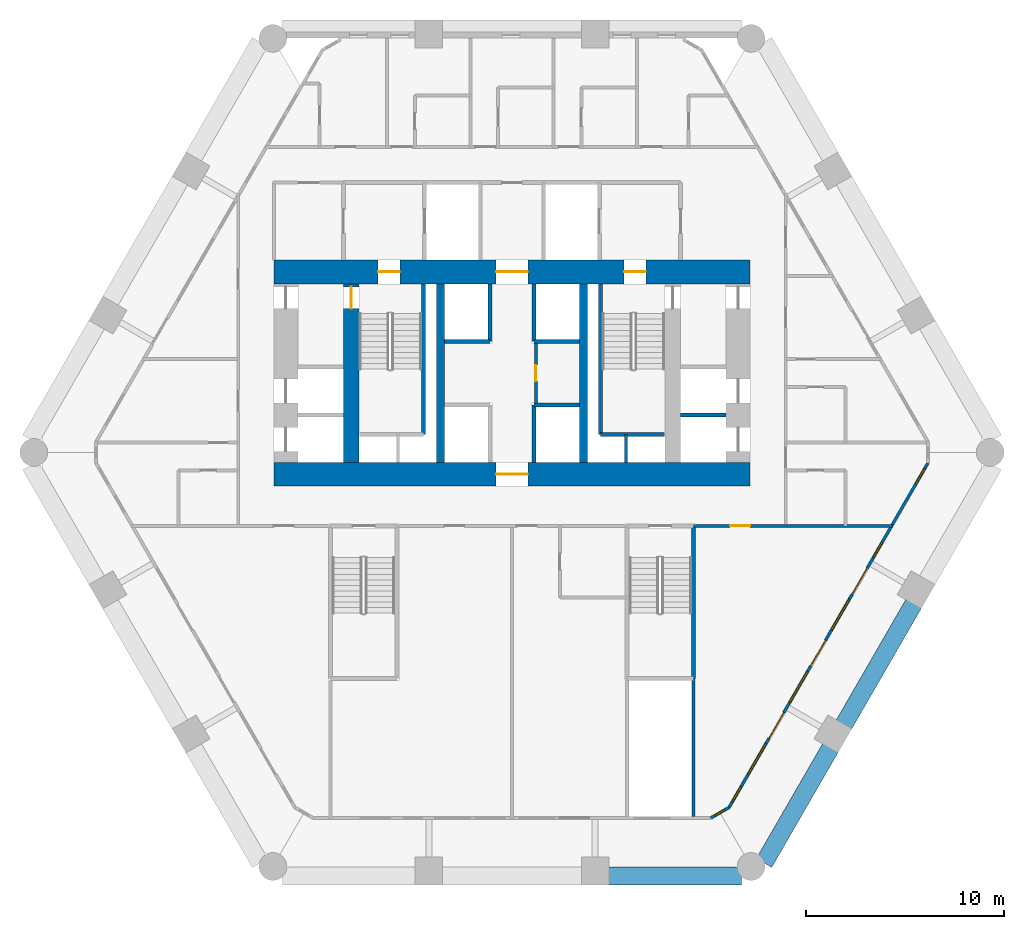
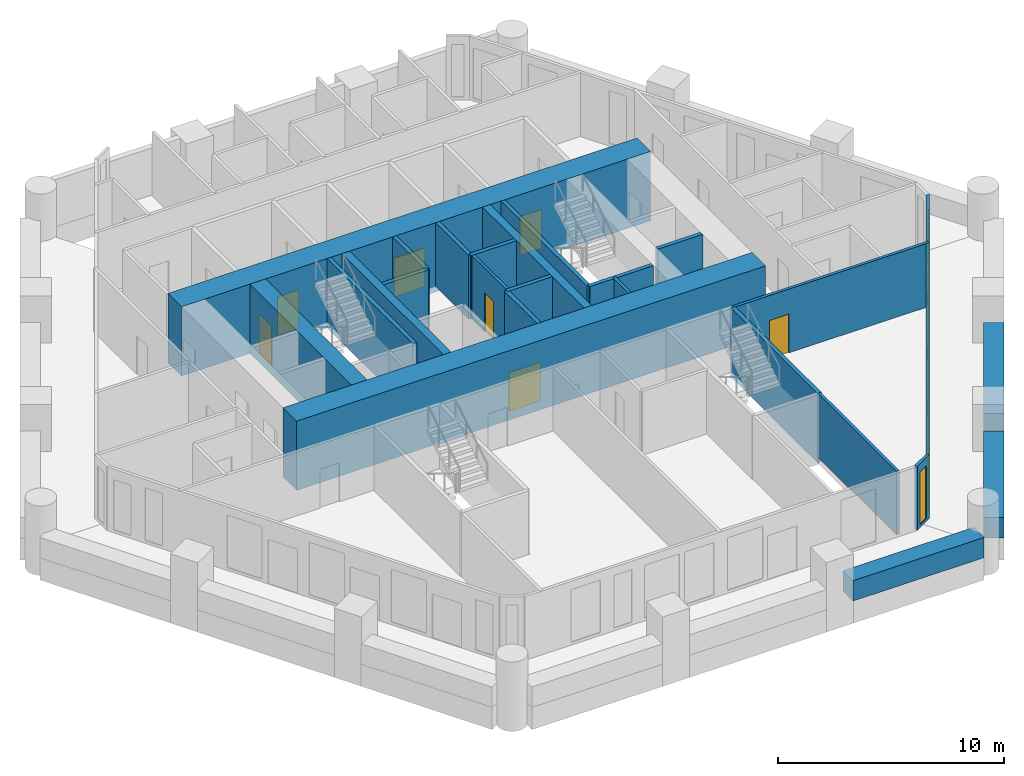
# One storey, part 4 of 8: 25 walls, 10 doors, 7 windows, 17 openings.
"""IFC4 building model written with IfcOpenShell, lengths in metres."""

from ifc_helpers import new_model, si_unit, direction, frame, frame_2d, origin, place, context, subcontext, project, spatial, rectangle, extrude, material, layer, layer_set, type_object, element, fill, save


model = new_model("IFC4")

# Units and contexts
model_context = context("Model", 3, precision=1e-05, world=origin(), true_north=direction((0.0, 1.0)))
body_context = subcontext(model_context, "Body", "Model", "MODEL_VIEW")
ifc_project = project(units=[si_unit("LENGTHUNIT", "METRE"), si_unit("AREAUNIT", "SQUARE_METRE"), si_unit("VOLUMEUNIT", "CUBIC_METRE"), si_unit("PLANEANGLEUNIT", "RADIAN"), si_unit("MASSUNIT", "GRAM", prefix="KILO")], contexts=[model_context])

# Site, building, storey
site_placement = place(None, origin())
site = spatial("IfcSite", under=ifc_project, at=site_placement, CompositionType="ELEMENT")
building_placement = place(site_placement, origin())
building = spatial("IfcBuilding", under=site, at=building_placement, Name="Ostrander Bayou Hotel Tower", CompositionType="ELEMENT")
storey_placement = place(building_placement, frame((0.0, 0.0, 28.0)))
storey = spatial("IfcBuildingStorey", under=building, at=storey_placement, Name="L06", CompositionType="ELEMENT", Elevation=28.0)

# Wall, opening, door
ifc_material_1 = material(Name="Concrete f'c 70 MPa", Category="concrete")
ifc_layer_1 = layer(ifc_material_1, 1.199951171875)
ifc_layer_set_1 = layer_set([ifc_layer_1], Name="CW1 core wall 1200 mm f'c 70 MPa")
wall_type_1 = type_object("IfcWallType", Name="CW1 core wall 1200 mm f'c 70 MPa", PredefinedType="SHEAR", material=ifc_layer_set_1)
wall_1_placement = place(storey_placement, frame((-12.0, -1.10009765625, -0.300048828125), z_axis=(0.0, 0.0, 1.0), x_axis=(1.0, 0.0, 0.0)))
wall_1 = element("IfcWall", 1, at=wall_1_placement, inside=storey, type_object=wall_type_1, Name="CW1 L06 S", PredefinedType="SHEAR", context=body_context, shape_type="SweptSolid", body=[
    extrude(rectangle(XDim=24.0, YDim=1.199951171875, at=frame_2d((12.0, 0.0))), origin(), (0.0, 0.0, 1.0), 3.75),
])
opening_1_placement = place(wall_1_placement, frame((11.199951171875, 0.0, 0.0)))
opening_1 = element("IfcOpeningElement", 2, at=opening_1_placement, cuts=wall_1, Name="Opening T06-001", PredefinedType="OPENING", context=body_context, shape_type="SweptSolid", body=[
    extrude(rectangle(XDim=1.60009765625, YDim=2.10009765625, at=frame_2d((0.800048828125, 1.050048828125))), frame((0.0, 0.60009765625, 0.0), z_axis=(0.0, -1.0, 0.0), x_axis=(1.0, 0.0, 0.0)), (0.0, 0.0, 1.0), 1.199951171875),
])
ifc_material_2 = material(Name="Timber door leaf", Category="wood")
door_type_1 = type_object("IfcDoorType", Name="D13 double door 1600 x 2100 mm, 1 hour", OperationType="SINGLE_SWING_LEFT", PredefinedType="DOOR", material=ifc_material_2)
door_1_placement = place(opening_1_placement, origin())
door_1 = element("IfcDoor", 3, at=door_1_placement, inside=storey, type_object=door_type_1, Name="dr:L06:001", OperationType="DOUBLE_DOOR_SINGLE_SWING", OverallHeight=2.10009765625, OverallWidth=1.60009765625, PredefinedType="DOOR", context=body_context, shape_type="SweptSolid", body=[
    extrude(rectangle(XDim=1.60009765625, YDim=2.10009765625, at=frame_2d((0.800048828125, 1.050048828125))), frame((0.0, 0.02490234375, 0.0), z_axis=(0.0, -1.0, 0.0), x_axis=(1.0, 0.0, 0.0)), (0.0, 0.0, 1.0), 0.050048828125),
])
fill(opening_1, door_1)

# Wall, openings, doors
wall_2_placement = place(storey_placement, frame((-12.0, 9.10009765625, -0.300048828125), z_axis=(0.0, 0.0, 1.0), x_axis=(1.0, 0.0, 0.0)))
wall_2 = element("IfcWall", 4, at=wall_2_placement, inside=storey, type_object=wall_type_1, Name="CW1 L06 N", PredefinedType="SHEAR", context=body_context, shape_type="SweptSolid", body=[
    extrude(rectangle(XDim=24.0, YDim=1.199951171875, at=frame_2d((12.0, 0.0))), origin(), (0.0, 0.0, 1.0), 3.75),
])
opening_2_placement = place(wall_2_placement, frame((11.199951171875, 0.0, 0.0)))
opening_2 = element("IfcOpeningElement", 5, at=opening_2_placement, cuts=wall_2, Name="Opening T06-002", PredefinedType="OPENING", context=body_context, shape_type="SweptSolid", body=[
    extrude(rectangle(XDim=1.60009765625, YDim=2.10009765625, at=frame_2d((0.800048828125, 1.050048828125))), frame((0.0, 0.60009765625, 0.0), z_axis=(0.0, -1.0, 0.0), x_axis=(1.0, 0.0, 0.0)), (0.0, 0.0, 1.0), 1.199951171875),
])
opening_3_placement = place(wall_2_placement, frame((5.25, 0.0, 0.0)))
opening_3 = element("IfcOpeningElement", 6, at=opening_3_placement, cuts=wall_2, Name="Opening T06-003", PredefinedType="OPENING", context=body_context, shape_type="SweptSolid", body=[
    extrude(rectangle(XDim=1.10009765625, YDim=2.10009765625, at=frame_2d((0.550048828125, 1.050048828125))), frame((0.0, 0.60009765625, 0.0), z_axis=(0.0, -1.0, 0.0), x_axis=(1.0, 0.0, 0.0)), (0.0, 0.0, 1.0), 1.199951171875),
])
opening_4_placement = place(wall_2_placement, frame((17.64990234375, 0.0, 0.0)))
opening_4 = element("IfcOpeningElement", 7, at=opening_4_placement, cuts=wall_2, Name="Opening T06-005", PredefinedType="OPENING", context=body_context, shape_type="SweptSolid", body=[
    extrude(rectangle(XDim=1.10009765625, YDim=2.10009765625, at=frame_2d((0.550048828125, 1.050048828125))), frame((0.0, 0.60009765625, 0.0), z_axis=(0.0, -1.0, 0.0), x_axis=(1.0, 0.0, 0.0)), (0.0, 0.0, 1.0), 1.199951171875),
])
door_2_placement = place(opening_2_placement, origin())
door_2 = element("IfcDoor", 8, at=door_2_placement, inside=storey, type_object=door_type_1, Name="dr:L06:002", OperationType="DOUBLE_DOOR_SINGLE_SWING", OverallHeight=2.10009765625, OverallWidth=1.60009765625, PredefinedType="DOOR", context=body_context, shape_type="SweptSolid", body=[
    extrude(rectangle(XDim=1.60009765625, YDim=2.10009765625, at=frame_2d((0.800048828125, 1.050048828125))), frame((0.0, 0.02490234375, 0.0), z_axis=(0.0, -1.0, 0.0), x_axis=(1.0, 0.0, 0.0)), (0.0, 0.0, 1.0), 0.050048828125),
])
fill(opening_2, door_2)
ifc_material_3 = material(Name="Timber door leaf", Category="wood")
door_type_2 = type_object("IfcDoorType", Name="D5 stair door 1100 x 2100 mm, 90 minute", OperationType="SINGLE_SWING_LEFT", PredefinedType="DOOR", material=ifc_material_3)
door_3_placement = place(opening_3_placement, origin())
door_3 = element("IfcDoor", 9, at=door_3_placement, inside=storey, type_object=door_type_2, Name="dr:L06:003", OperationType="SINGLE_SWING_LEFT", OverallHeight=2.10009765625, OverallWidth=1.10009765625, PredefinedType="DOOR", context=body_context, shape_type="SweptSolid", body=[
    extrude(rectangle(XDim=1.10009765625, YDim=2.10009765625, at=frame_2d((0.550048828125, 1.050048828125))), frame((0.0, 0.02490234375, 0.0), z_axis=(0.0, -1.0, 0.0), x_axis=(1.0, 0.0, 0.0)), (0.0, 0.0, 1.0), 0.050048828125),
])
fill(opening_3, door_3)
door_4_placement = place(opening_4_placement, origin())
door_4 = element("IfcDoor", 10, at=door_4_placement, inside=storey, type_object=door_type_2, Name="dr:L06:005", OperationType="SINGLE_SWING_RIGHT", OverallHeight=2.10009765625, OverallWidth=1.10009765625, PredefinedType="DOOR", context=body_context, shape_type="SweptSolid", body=[
    extrude(rectangle(XDim=1.10009765625, YDim=2.10009765625, at=frame_2d((0.550048828125, 1.050048828125))), frame((0.0, 0.02490234375, 0.0), z_axis=(0.0, -1.0, 0.0), x_axis=(1.0, 0.0, 0.0)), (0.0, 0.0, 1.0), 0.050048828125),
])
fill(opening_4, door_4)

# Wall, opening, door
ifc_material_4 = material(Name="Concrete f'c 70 MPa", Category="concrete")
ifc_layer_2 = layer(ifc_material_4, 0.800048828125)
ifc_layer_set_2 = layer_set([ifc_layer_2], Name="CW2 core spine wall 800 mm f'c 70 MPa")
wall_type_2 = type_object("IfcWallType", Name="CW2 core spine wall 800 mm f'c 70 MPa", PredefinedType="SHEAR", material=ifc_layer_set_2)
wall_3_placement = place(storey_placement, frame((-8.10009765625, -0.5, -0.300048828125), z_axis=(0.0, 0.0, 1.0), x_axis=(0.0, 1.0, 0.0)))
wall_3 = element("IfcWall", 11, at=wall_3_placement, inside=storey, type_object=wall_type_2, Name="CW2 L06 W", PredefinedType="SHEAR", context=body_context, shape_type="SweptSolid", body=[
    extrude(rectangle(XDim=9.0, YDim=0.800048828125, at=frame_2d((4.5, 0.0))), origin(), (0.0, 0.0, 1.0), 3.75),
])
opening_5_placement = place(wall_3_placement, frame((7.75, 0.0, 0.0)))
opening_5 = element("IfcOpeningElement", 12, at=opening_5_placement, cuts=wall_3, Name="Opening T06-004", PredefinedType="OPENING", context=body_context, shape_type="SweptSolid", body=[
    extrude(rectangle(XDim=1.10009765625, YDim=2.10009765625, at=frame_2d((0.550048828125, 1.050048828125))), frame((0.0, 0.39990234375, 0.0), z_axis=(0.0, -1.0, 0.0), x_axis=(1.0, 0.0, 0.0)), (0.0, 0.0, 1.0), 0.800048828125),
])
door_5_placement = place(opening_5_placement, origin())
door_5 = element("IfcDoor", 13, at=door_5_placement, inside=storey, type_object=door_type_2, Name="dr:L06:004", OperationType="SINGLE_SWING_RIGHT", OverallHeight=2.10009765625, OverallWidth=1.10009765625, PredefinedType="DOOR", context=body_context, shape_type="SweptSolid", body=[
    extrude(rectangle(XDim=1.10009765625, YDim=2.10009765625, at=frame_2d((0.550048828125, 1.050048828125))), frame((0.0, 0.02490234375, 0.0), z_axis=(0.0, -1.0, 0.0), x_axis=(1.0, 0.0, 0.0)), (0.0, 0.0, 1.0), 0.050048828125),
])
fill(opening_5, door_5)

# Walls
ifc_material_5 = material(Name="Concrete f'c 70 MPa", Category="concrete")
ifc_layer_3 = layer(ifc_material_5, 0.39990234375)
ifc_layer_set_3 = layer_set([ifc_layer_3], Name="CW3 core bank wall 400 mm f'c 70 MPa")
wall_type_3 = type_object("IfcWallType", Name="CW3 core bank wall 400 mm f'c 70 MPa", PredefinedType="SHEAR", material=ifc_layer_set_3)
for number, where, z_axis, x_axis, name in (
    (14, (-3.60009765625, -0.5, -0.300048828125), (0.0, 0.0, 1.0), (0.0, 1.0, 0.0), "CW3 L06 CW"),
    (15, (3.60009765625, -0.5, -0.300048828125), (0.0, 0.0, 1.0), (0.0, 1.0, 0.0), "CW3 L06 CE"),
):
    element("IfcWall", number, at=place(storey_placement, frame(where, z_axis=z_axis, x_axis=x_axis)), inside=storey, type_object=wall_type_3, Name=name, PredefinedType="SHEAR", context=body_context, shape_type="SweptSolid", body=[
        extrude(rectangle(XDim=9.0, YDim=0.39990234375, at=frame_2d((4.5, 0.0))), origin(), (0.0, 0.0, 1.0), 3.75),
    ])

# Wall, openings, doors, windows
ifc_material_6 = material(Name="Aluminium framed insulated wall", Category="aluminium")
ifc_layer_4 = layer(ifc_material_6, 0.14990234375)
ifc_layer_set_4 = layer_set([ifc_layer_4], Name="GW1 glass-line wall 150 mm")
wall_type_4 = type_object("IfcWallType", Name="GW1 glass-line wall 150 mm", PredefinedType="SOLIDWALL", material=ifc_layer_set_4)
wall_4_placement = place(storey_placement, frame((10.945068359375, -17.892578125, 0.0), z_axis=(0.0, 0.0, 1.0), x_axis=(0.500003237297, 0.866023534722, 0.0)))
wall_4 = element("IfcWall", 16, at=wall_4_placement, inside=storey, type_object=wall_type_4, Name="GW1 L06 SE 1", PredefinedType="SOLIDWALL", context=body_context, shape_type="SweptSolid", body=[
    extrude(rectangle(XDim=20.045654296875, YDim=0.14990234375, at=frame_2d((10.02294921875, 0.0))), origin(), (0.0, 0.0, 1.0), 3.449951171875),
])
opening_6_placement = place(wall_4_placement, frame((1.9228515625, 0.0, 0.14990234375)))
opening_6 = element("IfcOpeningElement", 17, at=opening_6_placement, cuts=wall_4, Name="Opening W1", PredefinedType="OPENING", context=body_context, shape_type="SweptSolid", body=[
    extrude(rectangle(XDim=1.800048828125, YDim=2.85009765625, at=frame_2d((0.89990234375, 1.425048828125))), frame((0.0, 0.074951171875, 0.0), z_axis=(0.0, -1.0, 0.0), x_axis=(1.0, 0.0, 0.0)), (0.0, 0.0, 1.0), 0.14990234375),
])
opening_7_placement = place(wall_4_placement, frame((4.022705078125, 0.0, 0.0)))
opening_7 = element("IfcOpeningElement", 18, at=opening_7_placement, cuts=wall_4, Name="Opening T06-805", PredefinedType="OPENING", context=body_context, shape_type="SweptSolid", body=[
    extrude(rectangle(XDim=1.5, YDim=2.39990234375, at=frame_2d((0.75, 1.199951171875))), frame((0.0, 0.074951171875, 0.0), z_axis=(0.0, -1.0, 0.0), x_axis=(1.0, 0.0, 0.0)), (0.0, 0.0, 1.0), 0.14990234375),
])
opening_8_placement = place(wall_4_placement, frame((6.122802734375, 0.0, 0.14990234375)))
opening_8 = element("IfcOpeningElement", 19, at=opening_8_placement, cuts=wall_4, Name="Opening W1", PredefinedType="OPENING", context=body_context, shape_type="SweptSolid", body=[
    extrude(rectangle(XDim=1.800048828125, YDim=2.85009765625, at=frame_2d((0.89990234375, 1.425048828125))), frame((0.0, 0.074951171875, 0.0), z_axis=(0.0, -1.0, 0.0), x_axis=(1.0, 0.0, 0.0)), (0.0, 0.0, 1.0), 0.14990234375),
])
opening_9_placement = place(wall_4_placement, frame((8.222900390625, 0.0, 0.0)))
opening_9 = element("IfcOpeningElement", 20, at=opening_9_placement, cuts=wall_4, Name="Opening T06-806", PredefinedType="OPENING", context=body_context, shape_type="SweptSolid", body=[
    extrude(rectangle(XDim=1.5, YDim=2.39990234375, at=frame_2d((0.75, 1.199951171875))), frame((0.0, 0.074951171875, 0.0), z_axis=(0.0, -1.0, 0.0), x_axis=(1.0, 0.0, 0.0)), (0.0, 0.0, 1.0), 0.14990234375),
])
opening_10_placement = place(wall_4_placement, frame((10.32275390625, 0.0, 0.14990234375)))
opening_10 = element("IfcOpeningElement", 21, at=opening_10_placement, cuts=wall_4, Name="Opening W1", PredefinedType="OPENING", context=body_context, shape_type="SweptSolid", body=[
    extrude(rectangle(XDim=1.800048828125, YDim=2.85009765625, at=frame_2d((0.89990234375, 1.425048828125))), frame((0.0, 0.074951171875, 0.0), z_axis=(0.0, -1.0, 0.0), x_axis=(1.0, 0.0, 0.0)), (0.0, 0.0, 1.0), 0.14990234375),
])
opening_11_placement = place(wall_4_placement, frame((12.4228515625, 0.0, 0.0)))
opening_11 = element("IfcOpeningElement", 22, at=opening_11_placement, cuts=wall_4, Name="Opening T06-807", PredefinedType="OPENING", context=body_context, shape_type="SweptSolid", body=[
    extrude(rectangle(XDim=1.5, YDim=2.39990234375, at=frame_2d((0.75, 1.199951171875))), frame((0.0, 0.074951171875, 0.0), z_axis=(0.0, -1.0, 0.0), x_axis=(1.0, 0.0, 0.0)), (0.0, 0.0, 1.0), 0.14990234375),
])
opening_12_placement = place(wall_4_placement, frame((14.522705078125, 0.0, 0.14990234375)))
opening_12 = element("IfcOpeningElement", 23, at=opening_12_placement, cuts=wall_4, Name="Opening W15", PredefinedType="OPENING", context=body_context, shape_type="SweptSolid", body=[
    extrude(rectangle(XDim=0.89990234375, YDim=2.85009765625, at=frame_2d((0.449951171875, 1.425048828125))), frame((0.0, 0.074951171875, 0.0), z_axis=(0.0, -1.0, 0.0), x_axis=(1.0, 0.0, 0.0)), (0.0, 0.0, 1.0), 0.14990234375),
])
opening_13_placement = place(wall_4_placement, frame((0.311279296875, 0.0, 0.14990234375)))
opening_13 = element("IfcOpeningElement", 24, at=opening_13_placement, cuts=wall_4, Name="Opening W15", PredefinedType="OPENING", context=body_context, shape_type="SweptSolid", body=[
    extrude(rectangle(XDim=0.89990234375, YDim=2.72998046875, at=frame_2d((0.449951171875, 1.364990234375))), frame((0.0, 0.074951171875, 0.0), z_axis=(0.0, -1.0, 0.0), x_axis=(1.0, 0.0, 0.0)), (0.0, 0.0, 1.0), 0.14990234375),
])
opening_14_placement = place(wall_4_placement, frame((18.834228515625, 0.0, 0.14990234375)))
opening_14 = element("IfcOpeningElement", 25, at=opening_14_placement, cuts=wall_4, Name="Opening W15", PredefinedType="OPENING", context=body_context, shape_type="SweptSolid", body=[
    extrude(rectangle(XDim=0.89990234375, YDim=2.72998046875, at=frame_2d((0.449951171875, 1.364990234375))), frame((0.0, 0.074951171875, 0.0), z_axis=(0.0, -1.0, 0.0), x_axis=(1.0, 0.0, 0.0)), (0.0, 0.0, 1.0), 0.14990234375),
])
ifc_material_7 = material(Name="Aluminium and clear glass", Category="aluminium")
door_type_3 = type_object("IfcDoorType", Name="SD1 sliding glass door 1500 mm, zone 1", OperationType="SLIDING_TO_LEFT", PredefinedType="DOOR", material=ifc_material_7)
door_6_placement = place(opening_7_placement, origin())
door_6 = element("IfcDoor", 26, at=door_6_placement, inside=storey, type_object=door_type_3, Name="SD1 L06 SE 1", OperationType="SLIDING_TO_LEFT", OverallHeight=2.39990234375, OverallWidth=1.5, PredefinedType="DOOR", context=body_context, shape_type="SweptSolid", body=[
    extrude(rectangle(XDim=1.5, YDim=2.39990234375, at=frame_2d((0.75, 1.199951171875))), frame((0.0, 0.02490234375, 0.0), z_axis=(0.0, -1.0, 0.0), x_axis=(1.0, 0.0, 0.0)), (0.0, 0.0, 1.0), 0.050048828125),
])
fill(opening_7, door_6)
door_7_placement = place(opening_9_placement, origin())
door_7 = element("IfcDoor", 27, at=door_7_placement, inside=storey, type_object=door_type_3, Name="SD1 L06 SE 2", OperationType="SLIDING_TO_RIGHT", OverallHeight=2.39990234375, OverallWidth=1.5, PredefinedType="DOOR", context=body_context, shape_type="SweptSolid", body=[
    extrude(rectangle(XDim=1.5, YDim=2.39990234375, at=frame_2d((0.75, 1.199951171875))), frame((0.0, 0.02490234375, 0.0), z_axis=(0.0, -1.0, 0.0), x_axis=(1.0, 0.0, 0.0)), (0.0, 0.0, 1.0), 0.050048828125),
])
fill(opening_9, door_7)
door_8_placement = place(opening_11_placement, origin())
door_8 = element("IfcDoor", 28, at=door_8_placement, inside=storey, type_object=door_type_3, Name="SD1 L06 SE 3", OperationType="SLIDING_TO_LEFT", OverallHeight=2.39990234375, OverallWidth=1.5, PredefinedType="DOOR", context=body_context, shape_type="SweptSolid", body=[
    extrude(rectangle(XDim=1.5, YDim=2.39990234375, at=frame_2d((0.75, 1.199951171875))), frame((0.0, 0.02490234375, 0.0), z_axis=(0.0, -1.0, 0.0), x_axis=(1.0, 0.0, 0.0)), (0.0, 0.0, 1.0), 0.050048828125),
])
fill(opening_11, door_8)
ifc_material_8 = material(Name="Aluminium and clear glass", Category="aluminium")
window_type_1 = type_object("IfcWindowType", Name="W1 fixed window 1800 mm, zone 1", PartitioningType="SINGLE_PANEL", PredefinedType="WINDOW", material=ifc_material_8)
window_1_placement = place(opening_6_placement, origin())
window_1 = element("IfcWindow", 29, at=window_1_placement, inside=storey, type_object=window_type_1, Name="W1 L06 SE 1", OverallHeight=2.85009765625, OverallWidth=1.800048828125, PartitioningType="SINGLE_PANEL", PredefinedType="WINDOW", context=body_context, shape_type="SweptSolid", body=[
    extrude(rectangle(XDim=1.800048828125, YDim=2.85009765625, at=frame_2d((0.89990234375, 1.425048828125))), frame((0.0, 0.030029296875, 0.0), z_axis=(0.0, -1.0, 0.0), x_axis=(1.0, 0.0, 0.0)), (0.0, 0.0, 1.0), 0.06005859375),
])
fill(opening_6, window_1)
window_2_placement = place(opening_8_placement, origin())
window_2 = element("IfcWindow", 30, at=window_2_placement, inside=storey, type_object=window_type_1, Name="W1 L06 SE 2", OverallHeight=2.85009765625, OverallWidth=1.800048828125, PartitioningType="SINGLE_PANEL", PredefinedType="WINDOW", context=body_context, shape_type="SweptSolid", body=[
    extrude(rectangle(XDim=1.800048828125, YDim=2.85009765625, at=frame_2d((0.89990234375, 1.425048828125))), frame((0.0, 0.030029296875, 0.0), z_axis=(0.0, -1.0, 0.0), x_axis=(1.0, 0.0, 0.0)), (0.0, 0.0, 1.0), 0.06005859375),
])
fill(opening_8, window_2)
window_3_placement = place(opening_10_placement, origin())
window_3 = element("IfcWindow", 31, at=window_3_placement, inside=storey, type_object=window_type_1, Name="W1 L06 SE 3", OverallHeight=2.85009765625, OverallWidth=1.800048828125, PartitioningType="SINGLE_PANEL", PredefinedType="WINDOW", context=body_context, shape_type="SweptSolid", body=[
    extrude(rectangle(XDim=1.800048828125, YDim=2.85009765625, at=frame_2d((0.89990234375, 1.425048828125))), frame((0.0, 0.030029296875, 0.0), z_axis=(0.0, -1.0, 0.0), x_axis=(1.0, 0.0, 0.0)), (0.0, 0.0, 1.0), 0.06005859375),
])
fill(opening_10, window_3)
ifc_material_9 = material(Name="Aluminium and clear glass", Category="aluminium")
window_type_2 = type_object("IfcWindowType", Name="W15 window 900 mm, zone 1", PartitioningType="SINGLE_PANEL", PredefinedType="WINDOW", material=ifc_material_9)
window_4_placement = place(opening_12_placement, origin())
window_4 = element("IfcWindow", 32, at=window_4_placement, inside=storey, type_object=window_type_2, Name="W15 L06 SE 4", OverallHeight=2.85009765625, OverallWidth=0.89990234375, PartitioningType="SINGLE_PANEL", PredefinedType="WINDOW", context=body_context, shape_type="SweptSolid", body=[
    extrude(rectangle(XDim=0.89990234375, YDim=2.85009765625, at=frame_2d((0.449951171875, 1.425048828125))), frame((0.0, 0.030029296875, 0.0), z_axis=(0.0, -1.0, 0.0), x_axis=(1.0, 0.0, 0.0)), (0.0, 0.0, 1.0), 0.06005859375),
])
fill(opening_12, window_4)
window_5_placement = place(opening_13_placement, origin())
window_5 = element("IfcWindow", 33, at=window_5_placement, inside=storey, type_object=window_type_2, Name="W15 L06 SE E11", OverallHeight=2.72998046875, OverallWidth=0.89990234375, PartitioningType="SINGLE_PANEL", PredefinedType="WINDOW", context=body_context, shape_type="SweptSolid", body=[
    extrude(rectangle(XDim=0.89990234375, YDim=2.72998046875, at=frame_2d((0.449951171875, 1.364990234375))), frame((0.0, 0.030029296875, 0.0), z_axis=(0.0, -1.0, 0.0), x_axis=(1.0, 0.0, 0.0)), (0.0, 0.0, 1.0), 0.06005859375),
])
fill(opening_13, window_5)
window_6_placement = place(opening_14_placement, origin())
window_6 = element("IfcWindow", 34, at=window_6_placement, inside=storey, type_object=window_type_2, Name="W15 L06 SE E21", OverallHeight=2.72998046875, OverallWidth=0.89990234375, PartitioningType="SINGLE_PANEL", PredefinedType="WINDOW", context=body_context, shape_type="SweptSolid", body=[
    extrude(rectangle(XDim=0.89990234375, YDim=2.72998046875, at=frame_2d((0.449951171875, 1.364990234375))), frame((0.0, 0.030029296875, 0.0), z_axis=(0.0, -1.0, 0.0), x_axis=(1.0, 0.0, 0.0)), (0.0, 0.0, 1.0), 0.06005859375),
])
fill(opening_14, window_6)

# Wall, opening, window
wall_5_placement = place(storey_placement, frame((10.022705078125, -18.425048828125, 0.0), z_axis=(0.0, 0.0, 1.0), x_axis=(0.866048165231, 0.499960573946, 0.0)))
wall_5 = element("IfcWall", 35, at=wall_5_placement, inside=storey, type_object=wall_type_4, Name="GW1 L06 corner 4", PredefinedType="SOLIDWALL", context=body_context, shape_type="SweptSolid", body=[
    extrude(rectangle(XDim=1.06494140625, YDim=0.14990234375, at=frame_2d((0.532470703125, 0.0))), origin(), (0.0, 0.0, 1.0), 3.449951171875),
])
opening_15_placement = place(wall_5_placement, frame((0.257568359375, 0.0, 0.14990234375)))
opening_15 = element("IfcOpeningElement", 36, at=opening_15_placement, cuts=wall_5, Name="Opening W19", PredefinedType="OPENING", context=body_context, shape_type="SweptSolid", body=[
    extrude(rectangle(XDim=0.550048828125, YDim=2.85009765625, at=frame_2d((0.27490234375, 1.425048828125))), frame((0.0, 0.074951171875, 0.0), z_axis=(0.0, -1.0, 0.0), x_axis=(1.0, 0.0, 0.0)), (0.0, 0.0, 1.0), 0.14990234375),
])
ifc_material_10 = material(Name="Aluminium and clear glass", Category="aluminium")
window_type_3 = type_object("IfcWindowType", Name="W19 corner window 550 mm", PartitioningType="SINGLE_PANEL", PredefinedType="WINDOW", material=ifc_material_10)
window_7_placement = place(opening_15_placement, origin())
window_7 = element("IfcWindow", 37, at=window_7_placement, inside=storey, type_object=window_type_3, Name="W19 L06 corner 4", OverallHeight=2.85009765625, OverallWidth=0.550048828125, PartitioningType="SINGLE_PANEL", PredefinedType="WINDOW", context=body_context, shape_type="SweptSolid", body=[
    extrude(rectangle(XDim=0.550048828125, YDim=2.85009765625, at=frame_2d((0.27490234375, 1.425048828125))), frame((0.0, 0.030029296875, 0.0), z_axis=(0.0, -1.0, 0.0), x_axis=(1.0, 0.0, 0.0)), (0.0, 0.0, 1.0), 0.06005859375),
])
fill(opening_15, window_7)

# Walls
ifc_material_11 = material(Name="Concrete f'c 40 MPa", Category="concrete")
ifc_layer_5 = layer(ifc_material_11, 0.89990234375)
ifc_layer_set_5 = layer_set([ifc_layer_5], Name="PA1 stone-faced parapet 900 mm")
wall_type_5 = type_object("IfcWallType", Name="PA1 stone-faced parapet 900 mm", PredefinedType="PARAPET", material=ifc_layer_set_5)
wall_6_placement = place(storey_placement, frame((4.865478515625, -21.35009765625, 0.0), z_axis=(0.0, 0.0, 1.0), x_axis=(1.0, 0.0, 0.0)))
element("IfcWall", 38, at=wall_6_placement, inside=storey, type_object=wall_type_5, Name="PA1 L06 S-3", PredefinedType="PARAPET", context=body_context, shape_type="SweptSolid", body=[
    extrude(rectangle(XDim=6.70361328125, YDim=0.89990234375, at=frame_2d((3.351806640625, 0.0))), origin(), (0.0, 0.0, 1.0), 1.10009765625),
])
ifc_material_12 = material(Name="Limestone masonry", Category="masonry")
ifc_layer_6 = layer(ifc_material_12, 0.89990234375)
ifc_layer_set_6 = layer_set([ifc_layer_6], Name="PA2 limestone parapet 900 mm")
wall_type_6 = type_object("IfcWallType", Name="PA2 limestone parapet 900 mm", PredefinedType="PARAPET", material=ifc_layer_set_6)
wall_7_placement = place(storey_placement, frame((12.705078125, -20.694091796875, 0.0), z_axis=(0.0, 0.0, 1.0), x_axis=(0.500005133765, 0.866022439784, 0.0)))
element("IfcWall", 39, at=wall_7_placement, inside=storey, type_object=wall_type_6, Name="PA2 L06 SE-1", PredefinedType="PARAPET", context=body_context, shape_type="SweptSolid", body=[
    extrude(rectangle(XDim=6.70361328125, YDim=0.89990234375, at=frame_2d((3.351806640625, 0.0))), origin(), (0.0, 0.0, 1.0), 1.10009765625),
])
wall_8_placement = place(storey_placement, frame((16.726806640625, -13.72802734375, 0.0), z_axis=(0.0, 0.0, 1.0), x_axis=(0.499997206141, 0.866027016814, 0.0)))
element("IfcWall", 40, at=wall_8_placement, inside=storey, type_object=wall_type_6, Name="PA2 L06 SE-2", PredefinedType="PARAPET", context=body_context, shape_type="SweptSolid", body=[
    extrude(rectangle(XDim=7.05078125, YDim=0.89990234375, at=frame_2d((3.525390625, 0.0))), origin(), (0.0, 0.0, 1.0), 1.10009765625),
])
ifc_material_13 = material(Name="Masonry block", Category="masonry")
ifc_layer_7 = layer(ifc_material_13, 0.199951171875)
ifc_layer_set_7 = layer_set([ifc_layer_7], Name="PT6 lift shaft wall 200 mm masonry, 2 hour")
wall_type_7 = type_object("IfcWallType", Name="PT6 lift shaft wall 200 mm masonry, 2 hour", PredefinedType="PARTITIONING", material=ifc_layer_set_7)
for number, where, z_axis, x_axis, name in (
    (41, (-3.39990234375, 5.60009765625, 0.0), (0.0, 0.0, 1.0), (1.0, 0.0, 0.0), "cs:L06:002"),
    (42, (1.10009765625, 2.39990234375, 0.0), (0.0, 0.0, 1.0), (1.0, 0.0, 0.0), "cs:L06:003"),
    (43, (1.10009765625, 5.60009765625, 0.0), (0.0, 0.0, 1.0), (1.0, 0.0, 0.0), "cs:L06:004"),
):
    element("IfcWall", number, at=place(storey_placement, frame(where, z_axis=z_axis, x_axis=x_axis)), inside=storey, type_object=wall_type_7, Name=name, PredefinedType="PARTITIONING", context=body_context, shape_type="SweptSolid", body=[
        extrude(rectangle(XDim=2.2998046875, YDim=0.199951171875, at=frame_2d((1.14990234375, 0.0))), origin(), (0.0, 0.0, 1.0), 3.449951171875),
    ])
for number, where, z_axis, x_axis, name in (
    (44, (1.10009765625, -0.5, 0.0), (0.0, 0.0, 1.0), (0.0, 1.0, 0.0), "cs:L06:006"),
    (45, (-1.10009765625, 5.60009765625, 0.0), (0.0, 0.0, 1.0), (0.0, 1.0, 0.0), "cs:L06:007"),
    (46, (1.10009765625, 5.60009765625, 0.0), (0.0, 0.0, 1.0), (0.0, 1.0, 0.0), "cs:L06:008"),
):
    element("IfcWall", number, at=place(storey_placement, frame(where, z_axis=z_axis, x_axis=x_axis)), inside=storey, type_object=wall_type_7, Name=name, PredefinedType="PARTITIONING", context=body_context, shape_type="SweptSolid", body=[
        extrude(rectangle(XDim=2.89990234375, YDim=0.199951171875, at=frame_2d((1.449951171875, 0.0))), origin(), (0.0, 0.0, 1.0), 3.449951171875),
    ])
wall_9_placement = place(storey_placement, frame((8.5, 1.89990234375, 0.0), z_axis=(0.0, 0.0, 1.0), x_axis=(1.0, 0.0, 0.0)))
element("IfcWall", 47, at=wall_9_placement, inside=storey, type_object=wall_type_7, Name="cs:L06:035", PredefinedType="PARTITIONING", context=body_context, shape_type="SweptSolid", body=[
    extrude(rectangle(XDim=2.300048828125, YDim=0.199951171875, at=frame_2d((1.14990234375, 0.0))), origin(), (0.0, 0.0, 1.0), 3.449951171875),
])
ifc_material_14 = material(Name="Gypsum board partition", Category="finish")
ifc_layer_8 = layer(ifc_material_14, 0.14990234375)
ifc_layer_set_8 = layer_set([ifc_layer_8], Name="PT7 riser wall 150 mm, 2 hour")
wall_type_8 = type_object("IfcWallType", Name="PT7 riser wall 150 mm, 2 hour", PredefinedType="PARTITIONING", material=ifc_layer_set_8)
wall_10_placement = place(storey_placement, frame((5.75, -0.5, 0.0), z_axis=(0.0, 0.0, 1.0), x_axis=(0.0, 1.0, 0.0)))
element("IfcWall", 48, at=wall_10_placement, inside=storey, type_object=wall_type_8, Name="cs:L06:014", PredefinedType="PARTITIONING", context=body_context, shape_type="SweptSolid", body=[
    extrude(rectangle(XDim=1.39990234375, YDim=0.14990234375, at=frame_2d((0.699951171875, 0.0))), origin(), (0.0, 0.0, 1.0), 3.449951171875),
])
wall_11_placement = place(storey_placement, frame((9.14990234375, -11.39990234375, 0.0), z_axis=(0.0, 0.0, 1.0), x_axis=(0.0, -1.0, 0.0)))
element("IfcWall", 49, at=wall_11_placement, inside=storey, type_object=wall_type_8, Name="cs:L06:020", PredefinedType="PARTITIONING", context=body_context, shape_type="SweptSolid", body=[
    extrude(rectangle(XDim=6.9501953125, YDim=0.14990234375, at=frame_2d((3.47509765625, 0.0))), origin(), (0.0, 0.0, 1.0), 3.449951171875),
])

# Wall, opening, door
wall_12_placement = place(storey_placement, frame((1.199951171875, 2.5, 0.0), z_axis=(0.0, 0.0, 1.0), x_axis=(0.0, 1.0, 0.0)))
wall_12 = element("IfcWall", 50, at=wall_12_placement, inside=storey, type_object=wall_type_8, Name="cs:L06:032", PredefinedType="PARTITIONING", context=body_context, shape_type="SweptSolid", body=[
    extrude(rectangle(XDim=3.0, YDim=0.14990234375, at=frame_2d((1.5, 0.0))), origin(), (0.0, 0.0, 1.0), 3.449951171875),
])
opening_16_placement = place(wall_12_placement, frame((1.10009765625, 0.0, 0.0)))
opening_16 = element("IfcOpeningElement", 51, at=opening_16_placement, cuts=wall_12, Name="Opening T06-014", PredefinedType="OPENING", context=body_context, shape_type="SweptSolid", body=[
    extrude(rectangle(XDim=0.800048828125, YDim=2.10009765625, at=frame_2d((0.39990234375, 1.050048828125))), frame((0.0, 0.074951171875, 0.0), z_axis=(0.0, -1.0, 0.0), x_axis=(1.0, 0.0, 0.0)), (0.0, 0.0, 1.0), 0.14990234375),
])
ifc_material_15 = material(Name="Timber door leaf", Category="wood")
door_type_4 = type_object("IfcDoorType", Name="D6 riser door 800 x 2100 mm, 90 minute", OperationType="SINGLE_SWING_LEFT", PredefinedType="DOOR", material=ifc_material_15)
door_9_placement = place(opening_16_placement, origin())
door_9 = element("IfcDoor", 52, at=door_9_placement, inside=storey, type_object=door_type_4, Name="dr:L06:014", OperationType="SINGLE_SWING_RIGHT", OverallHeight=2.10009765625, OverallWidth=0.800048828125, PredefinedType="DOOR", context=body_context, shape_type="SweptSolid", body=[
    extrude(rectangle(XDim=0.800048828125, YDim=2.10009765625, at=frame_2d((0.39990234375, 1.050048828125))), frame((0.0, 0.02490234375, 0.0), z_axis=(0.0, -1.0, 0.0), x_axis=(1.0, 0.0, 0.0)), (0.0, 0.0, 1.0), 0.050048828125),
])
fill(opening_16, door_9)

ifc_material_16 = material(Name="Gypsum board partition", Category="finish")
ifc_layer_9 = layer(ifc_material_16, 0.14990234375)
ifc_layer_set_9 = layer_set([ifc_layer_9], Name="PT8 service band wall 150 mm, 1 hour")
wall_type_9 = type_object("IfcWallType", Name="PT8 service band wall 150 mm, 1 hour", PredefinedType="PARTITIONING", material=ifc_layer_set_9)
wall_13_placement = place(storey_placement, frame((9.159912109375, -3.699951171875, 0.0), z_axis=(0.0, 0.0, 1.0), x_axis=(1.0, 0.0, 0.0)))
wall_13 = element("IfcWall", 53, at=wall_13_placement, inside=storey, type_object=wall_type_9, Name="gw:L06:004", PredefinedType="PARTITIONING", context=body_context, shape_type="SweptSolid", body=[
    extrude(rectangle(XDim=10.031005859375, YDim=0.14990234375, at=frame_2d((5.015625, 0.0))), origin(), (0.0, 0.0, 1.0), 3.449951171875),
])
opening_17_placement = place(wall_13_placement, frame((1.840087890625, 0.0, 0.0)))
opening_17 = element("IfcOpeningElement", 54, at=opening_17_placement, cuts=wall_13, Name="Opening T06-404", PredefinedType="OPENING", context=body_context, shape_type="SweptSolid", body=[
    extrude(rectangle(XDim=1.0, YDim=2.10009765625, at=frame_2d((0.5, 1.050048828125))), frame((0.0, 0.074951171875, 0.0), z_axis=(0.0, -1.0, 0.0), x_axis=(1.0, 0.0, 0.0)), (0.0, 0.0, 1.0), 0.14990234375),
])
ifc_material_17 = material(Name="Timber door leaf", Category="wood")
door_type_5 = type_object("IfcDoorType", Name="D15 room door 1000 x 2100 mm", OperationType="SINGLE_SWING_LEFT", PredefinedType="DOOR", material=ifc_material_17)
door_10_placement = place(opening_17_placement, origin())
door_10 = element("IfcDoor", 55, at=door_10_placement, inside=storey, type_object=door_type_5, Name="dr:L06:404", OperationType="SINGLE_SWING_LEFT", OverallHeight=2.10009765625, OverallWidth=1.0, PredefinedType="DOOR", context=body_context, shape_type="SweptSolid", body=[
    extrude(rectangle(XDim=1.0, YDim=2.10009765625, at=frame_2d((0.5, 1.050048828125))), frame((0.0, 0.02490234375, 0.0), z_axis=(0.0, -1.0, 0.0), x_axis=(1.0, 0.0, 0.0)), (0.0, 0.0, 1.0), 0.050048828125),
])
fill(opening_17, door_10)

# Walls
ifc_material_18 = material(Name="Concrete f'c 45 MPa", Category="concrete")
ifc_layer_10 = layer(ifc_material_18, 0.199951171875)
ifc_layer_set_10 = layer_set([ifc_layer_10], Name="SW5 stair enclosure wall 200 mm f'c 45 MPa")
wall_type_10 = type_object("IfcWallType", Name="SW5 stair enclosure wall 200 mm f'c 45 MPa", PredefinedType="SOLIDWALL", material=ifc_layer_set_10)
for number, where, z_axis, x_axis, name in (
    (56, (-4.449951171875, 0.89990234375, -0.300048828125), (0.0, 0.0, 1.0), (0.0, 1.0, 0.0), "cs:L06:009"),
    (57, (4.449951171875, 0.89990234375, -0.300048828125), (0.0, 0.0, 1.0), (0.0, 1.0, 0.0), "cs:L06:012"),
):
    element("IfcWall", number, at=place(storey_placement, frame(where, z_axis=z_axis, x_axis=x_axis)), inside=storey, type_object=wall_type_10, Name=name, PredefinedType="SOLIDWALL", context=body_context, shape_type="SweptSolid", body=[
        extrude(rectangle(XDim=7.60009765625, YDim=0.199951171875, at=frame_2d((3.800048828125, 0.0))), origin(), (0.0, 0.0, 1.0), 3.75),
    ])
wall_14_placement = place(storey_placement, frame((4.449951171875, 0.89990234375, -0.300048828125), z_axis=(0.0, 0.0, 1.0), x_axis=(1.0, 0.0, 0.0)))
element("IfcWall", 58, at=wall_14_placement, inside=storey, type_object=wall_type_10, Name="cs:L06:013", PredefinedType="SOLIDWALL", context=body_context, shape_type="SweptSolid", body=[
    extrude(rectangle(XDim=3.25, YDim=0.199951171875, at=frame_2d((1.625, 0.0))), origin(), (0.0, 0.0, 1.0), 3.75),
])
wall_15_placement = place(storey_placement, frame((9.14990234375, -3.699951171875, -0.300048828125), z_axis=(0.0, 0.0, 1.0), x_axis=(0.0, -1.0, 0.0)))
element("IfcWall", 59, at=wall_15_placement, inside=storey, type_object=wall_type_10, Name="cs:L06:017", PredefinedType="SOLIDWALL", context=body_context, shape_type="SweptSolid", body=[
    extrude(rectangle(XDim=7.699951171875, YDim=0.199951171875, at=frame_2d((3.85009765625, 0.0))), origin(), (0.0, 0.0, 1.0), 3.75),
])

save(model, "model.ifc")
